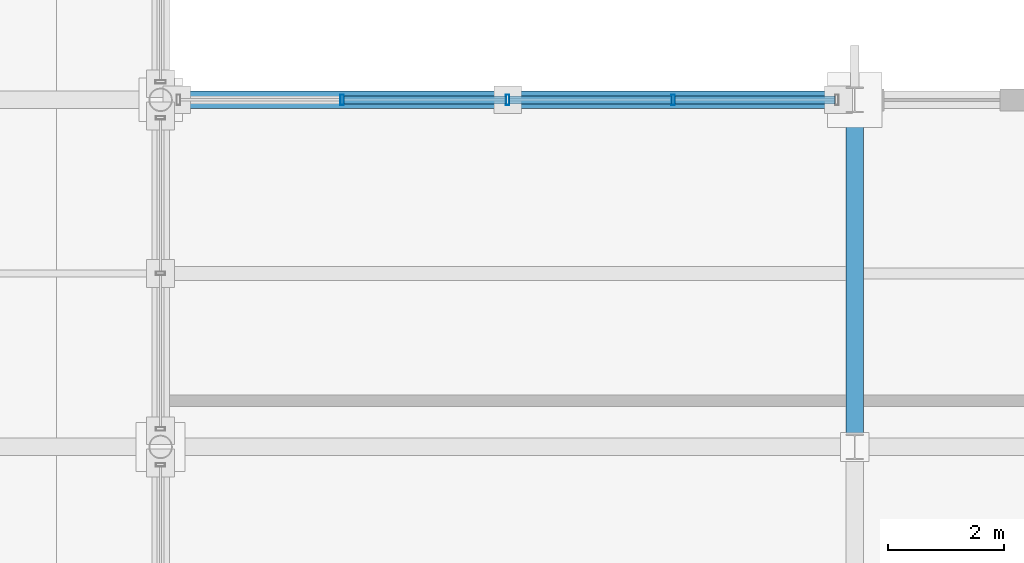
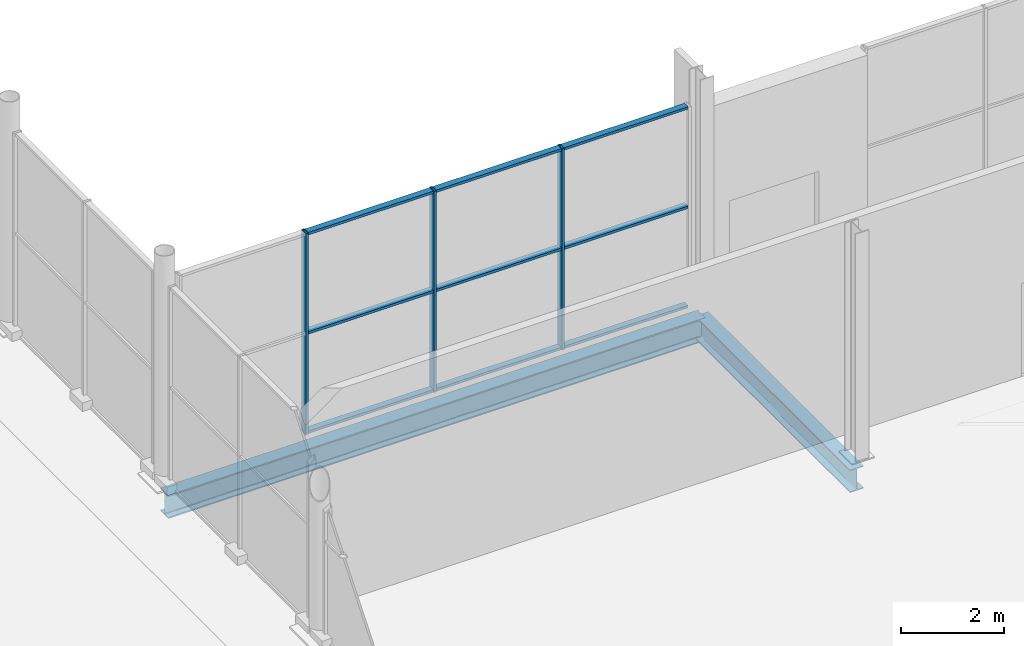
# One storey, part 78 of 196: 12 members, 2 beams, 1 element without a shape of its own.
"""IFC4 building model written with IfcOpenShell, lengths in metres."""

from ifc_helpers import new_model, si_unit, direction, frame, origin, origin_2d, place, context, subcontext, project, spatial, hollow_rectangle, i_section, extrude, material, material_profile, profile_set, type_object, element, aggregate, save


model = new_model("IFC4")

# Units and contexts
model_context = context("Model", 3, precision=1e-05, world=origin(), true_north=direction((0.0, 1.0)))
body_context = subcontext(model_context, "Body", "Model", "MODEL_VIEW")
ifc_project = project(units=[si_unit("LENGTHUNIT", "METRE"), si_unit("AREAUNIT", "SQUARE_METRE"), si_unit("VOLUMEUNIT", "CUBIC_METRE"), si_unit("PLANEANGLEUNIT", "RADIAN"), si_unit("MASSUNIT", "GRAM", prefix="KILO")], contexts=[model_context])

# Site, building, storey
site_placement = place(None, origin())
site = spatial("IfcSite", under=ifc_project, at=site_placement, CompositionType="ELEMENT")
building_placement = place(site_placement, origin())
building = spatial("IfcBuilding", under=site, at=building_placement, Name="Merenkruunu Market Hall", CompositionType="ELEMENT")
storey_placement = place(building_placement, origin())
storey = spatial("IfcBuildingStorey", under=building, at=storey_placement, Name="L00", CompositionType="ELEMENT", Elevation=0.0)

# Curtain wall, members
ifc_material_1 = material(Name="Powder-coated aluminium", Category="aluminium")
curtain_wall_type = type_object("IfcCurtainWallType", Name="Glazed Curtain Wall CW04", PredefinedType="USERDEFINED", material=ifc_material_1)
curtain_wall_placement = place(storey_placement, origin())
curtain_wall = element("IfcCurtainWall", 1, at=curtain_wall_placement, inside=storey, type_object=curtain_wall_type, Name="CW-L00-CWM02-182", ObjectType="GLAZED_FACADE", PredefinedType="USERDEFINED")
ifc_material_profile_1 = material_profile(ifc_material_1, hollow_rectangle(XDim=0.06005859375, YDim=0.179931640625, WallThickness=0.00390625, at=origin_2d()), Name="ALU 60x180x4")
ifc_profile_set_1 = profile_set([ifc_material_profile_1], Name="Powder-coated aluminium")
member_type_1 = type_object("IfcMemberType", Name="Curtain Wall Mullion CWM02", PredefinedType="MULLION", material=ifc_profile_set_1)
member_1_placement = place(storey_placement, frame((79.93994140625, 45.60009765625, 0.0), z_axis=(0.0, 0.0, 1.0), x_axis=(1.0, 0.0, 0.0)))
member_1 = element("IfcMember", 2, at=member_1_placement, type_object=member_type_1, Name="CW04 mullion 2", PredefinedType="MULLION", context=body_context, shape_type="SweptSolid", body=[
    extrude(hollow_rectangle(XDim=0.06005859375, YDim=0.179931640625, WallThickness=0.00390625, at=origin_2d()), origin(), (0.0, 0.0, 1.0), 4.75),
])
member_2_placement = place(storey_placement, frame((82.800048828125, 45.60009765625, 0.0), z_axis=(0.0, 0.0, 1.0), x_axis=(1.0, 0.0, 0.0)))
member_2 = element("IfcMember", 3, at=member_2_placement, type_object=member_type_1, Name="CW04 mullion 3", PredefinedType="MULLION", context=body_context, shape_type="SweptSolid", body=[
    extrude(hollow_rectangle(XDim=0.06005859375, YDim=0.179931640625, WallThickness=0.00390625, at=origin_2d()), origin(), (0.0, 0.0, 1.0), 4.75),
])
member_3_placement = place(storey_placement, frame((85.659912109375, 45.60009765625, 0.0), z_axis=(0.0, 0.0, 1.0), x_axis=(1.0, 0.0, 0.0)))
member_3 = element("IfcMember", 4, at=member_3_placement, type_object=member_type_1, Name="CW04 mullion 4", PredefinedType="MULLION", context=body_context, shape_type="SweptSolid", body=[
    extrude(hollow_rectangle(XDim=0.06005859375, YDim=0.179931640625, WallThickness=0.00390625, at=origin_2d()), origin(), (0.0, 0.0, 1.0), 4.75),
])
ifc_material_profile_2 = material_profile(ifc_material_1, hollow_rectangle(XDim=0.06005859375, YDim=0.139892578125, WallThickness=0.00390625, at=origin_2d()), Name="ALU 60x140x4")
ifc_profile_set_2 = profile_set([ifc_material_profile_2], Name="Powder-coated aluminium")
member_type_2 = type_object("IfcMemberType", Name="Curtain Wall Transom CWT02", PredefinedType="USERDEFINED", material=ifc_profile_set_2)
member_4_placement = place(storey_placement, frame((79.969970703125, 45.60009765625, 0.030029296875), z_axis=(1.0, 0.0, 0.0), x_axis=(0.0, 0.0, 1.0)))
member_4 = element("IfcMember", 5, at=member_4_placement, type_object=member_type_2, Name="CW04 transom 2.1", ObjectType="TRANSOM", PredefinedType="USERDEFINED", context=body_context, shape_type="SweptSolid", body=[
    extrude(hollow_rectangle(XDim=0.06005859375, YDim=0.139892578125, WallThickness=0.00390625, at=origin_2d()), origin(), (0.0, 0.0, 1.0), 2.800048828125),
])
member_5_placement = place(storey_placement, frame((79.969970703125, 45.60009765625, 2.375), z_axis=(1.0, 0.0, 0.0), x_axis=(0.0, 0.0, 1.0)))
member_5 = element("IfcMember", 6, at=member_5_placement, type_object=member_type_2, Name="CW04 transom 2.2", ObjectType="TRANSOM", PredefinedType="USERDEFINED", context=body_context, shape_type="SweptSolid", body=[
    extrude(hollow_rectangle(XDim=0.06005859375, YDim=0.139892578125, WallThickness=0.00390625, at=origin_2d()), origin(), (0.0, 0.0, 1.0), 2.800048828125),
])
member_6_placement = place(storey_placement, frame((79.969970703125, 45.60009765625, 4.719970703125), z_axis=(1.0, 0.0, 0.0), x_axis=(0.0, 0.0, 1.0)))
member_6 = element("IfcMember", 7, at=member_6_placement, type_object=member_type_2, Name="CW04 transom 2.3", ObjectType="TRANSOM", PredefinedType="USERDEFINED", context=body_context, shape_type="SweptSolid", body=[
    extrude(hollow_rectangle(XDim=0.06005859375, YDim=0.139892578125, WallThickness=0.00390625, at=origin_2d()), origin(), (0.0, 0.0, 1.0), 2.800048828125),
])
member_7_placement = place(storey_placement, frame((82.830078125, 45.60009765625, 0.030029296875), z_axis=(1.0, 0.0, 0.0), x_axis=(0.0, 0.0, 1.0)))
member_7 = element("IfcMember", 8, at=member_7_placement, type_object=member_type_2, Name="CW04 transom 3.1", ObjectType="TRANSOM", PredefinedType="USERDEFINED", context=body_context, shape_type="SweptSolid", body=[
    extrude(hollow_rectangle(XDim=0.06005859375, YDim=0.139892578125, WallThickness=0.00390625, at=origin_2d()), origin(), (0.0, 0.0, 1.0), 2.7998046875),
])
member_8_placement = place(storey_placement, frame((82.830078125, 45.60009765625, 2.375), z_axis=(1.0, 0.0, 0.0), x_axis=(0.0, 0.0, 1.0)))
member_8 = element("IfcMember", 9, at=member_8_placement, type_object=member_type_2, Name="CW04 transom 3.2", ObjectType="TRANSOM", PredefinedType="USERDEFINED", context=body_context, shape_type="SweptSolid", body=[
    extrude(hollow_rectangle(XDim=0.06005859375, YDim=0.139892578125, WallThickness=0.00390625, at=origin_2d()), origin(), (0.0, 0.0, 1.0), 2.7998046875),
])
member_9_placement = place(storey_placement, frame((82.830078125, 45.60009765625, 4.719970703125), z_axis=(1.0, 0.0, 0.0), x_axis=(0.0, 0.0, 1.0)))
member_9 = element("IfcMember", 10, at=member_9_placement, type_object=member_type_2, Name="CW04 transom 3.3", ObjectType="TRANSOM", PredefinedType="USERDEFINED", context=body_context, shape_type="SweptSolid", body=[
    extrude(hollow_rectangle(XDim=0.06005859375, YDim=0.139892578125, WallThickness=0.00390625, at=origin_2d()), origin(), (0.0, 0.0, 1.0), 2.7998046875),
])
member_10_placement = place(storey_placement, frame((85.68994140625, 45.60009765625, 0.030029296875), z_axis=(1.0, 0.0, 0.0), x_axis=(0.0, 0.0, 1.0)))
member_10 = element("IfcMember", 11, at=member_10_placement, type_object=member_type_2, Name="CW04 transom 4.1", ObjectType="TRANSOM", PredefinedType="USERDEFINED", context=body_context, shape_type="SweptSolid", body=[
    extrude(hollow_rectangle(XDim=0.06005859375, YDim=0.139892578125, WallThickness=0.00390625, at=origin_2d()), origin(), (0.0, 0.0, 1.0), 2.77001953125),
])
member_11_placement = place(storey_placement, frame((85.68994140625, 45.60009765625, 2.375), z_axis=(1.0, 0.0, 0.0), x_axis=(0.0, 0.0, 1.0)))
member_11 = element("IfcMember", 12, at=member_11_placement, type_object=member_type_2, Name="CW04 transom 4.2", ObjectType="TRANSOM", PredefinedType="USERDEFINED", context=body_context, shape_type="SweptSolid", body=[
    extrude(hollow_rectangle(XDim=0.06005859375, YDim=0.139892578125, WallThickness=0.00390625, at=origin_2d()), origin(), (0.0, 0.0, 1.0), 2.77001953125),
])
member_12_placement = place(storey_placement, frame((85.68994140625, 45.60009765625, 4.719970703125), z_axis=(1.0, 0.0, 0.0), x_axis=(0.0, 0.0, 1.0)))
member_12 = element("IfcMember", 13, at=member_12_placement, type_object=member_type_2, Name="CW04 transom 4.3", ObjectType="TRANSOM", PredefinedType="USERDEFINED", context=body_context, shape_type="SweptSolid", body=[
    extrude(hollow_rectangle(XDim=0.06005859375, YDim=0.139892578125, WallThickness=0.00390625, at=origin_2d()), origin(), (0.0, 0.0, 1.0), 2.77001953125),
])
aggregate(curtain_wall, [member_1, member_2, member_3, member_4, member_5, member_6, member_7, member_8, member_9, member_10, member_11, member_12])

# Beams
ifc_material_2 = material(Name="Steel S355J2", Category="steel")
ifc_material_profile_3 = material_profile(ifc_material_2, i_section(OverallWidth=0.300048828125, OverallDepth=0.550048828125, WebThickness=0.014892578125, FlangeThickness=0.029052734375, FilletRadius=0.027099609375, at=origin_2d()), Name="HEB 550")
ifc_profile_set_3 = profile_set([ifc_material_profile_3], Name="Steel S355J2")
beam_type_1 = type_object("IfcBeamType", Name="Primary Floor Girder B02", PredefinedType="BEAM", material=ifc_profile_set_3)
beam_1_placement = place(storey_placement, frame((76.800048828125, 45.60009765625, -0.574951171875), z_axis=(1.0, 0.0, 0.0), x_axis=(0.0, 1.0, 0.0)))
element("IfcBeam", 14, at=beam_1_placement, inside=storey, type_object=beam_type_1, Name="BM-L00-B02-0071", PredefinedType="BEAM", context=body_context, shape_type="SweptSolid", body=[
    extrude(i_section(OverallWidth=0.300048828125, OverallDepth=0.550048828125, WebThickness=0.014892578125, FlangeThickness=0.029052734375, FilletRadius=0.027099609375, at=origin_2d()), origin(), (0.0, 0.0, 1.0), 12.0),
])
ifc_material_profile_4 = material_profile(ifc_material_2, i_section(OverallWidth=0.300048828125, OverallDepth=0.5400390625, WebThickness=0.012451171875, FlangeThickness=0.02392578125, FilletRadius=0.027099609375, at=origin_2d()), Name="HEA 550")
ifc_profile_set_4 = profile_set([ifc_material_profile_4], Name="Steel S355J2")
beam_type_2 = type_object("IfcBeamType", Name="Primary Floor Girder B06", PredefinedType="BEAM", material=ifc_profile_set_4)
beam_2_placement = place(storey_placement, frame((88.800048828125, 39.60009765625, -0.570068359375), z_axis=(0.0, 1.0, 0.0), x_axis=(-1.0, 0.0, 0.0)))
element("IfcBeam", 15, at=beam_2_placement, inside=storey, type_object=beam_type_2, Name="BM-L00-B06-0211", PredefinedType="BEAM", context=body_context, shape_type="SweptSolid", body=[
    extrude(i_section(OverallWidth=0.300048828125, OverallDepth=0.5400390625, WebThickness=0.012451171875, FlangeThickness=0.02392578125, FilletRadius=0.027099609375, at=origin_2d()), origin(), (0.0, 0.0, 1.0), 6.0),
])

save(model, "model.ifc")
